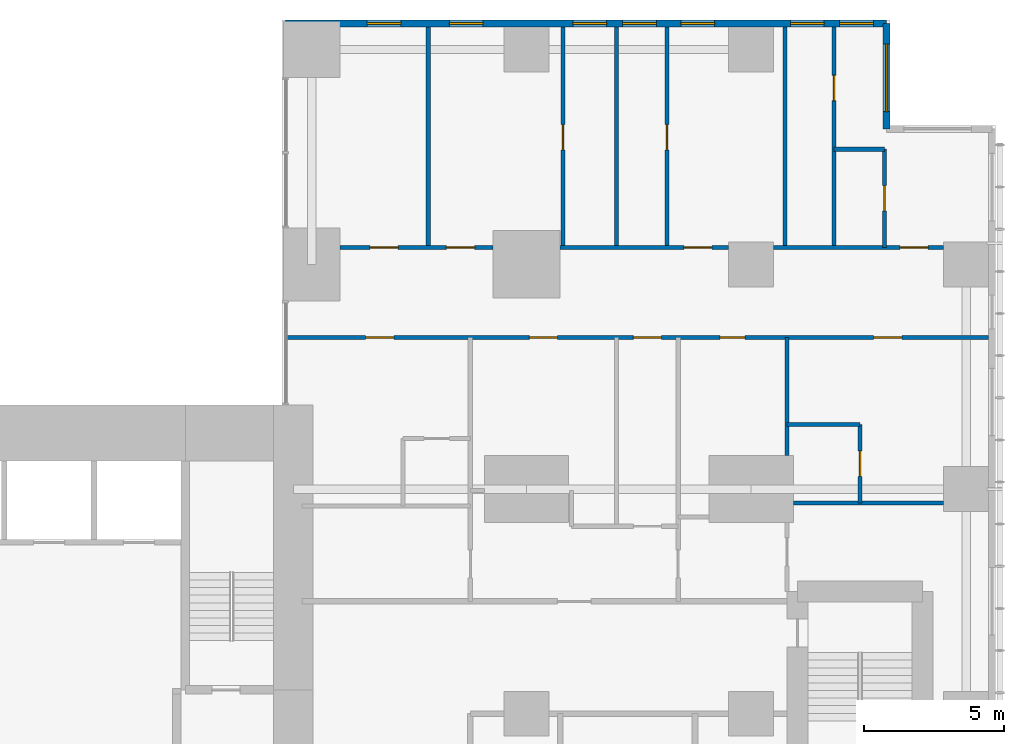
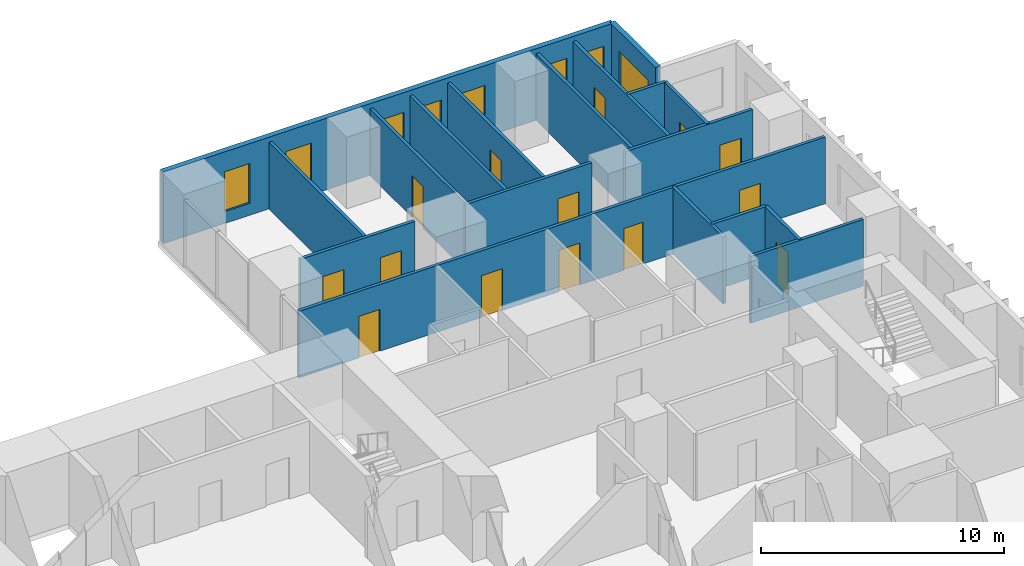
# One storey, part 10 of 12: 18 walls, 14 doors, 8 windows, 22 openings.
"""IFC4 building model written with IfcOpenShell, lengths in metres."""

import ifcopenshell
import ifcopenshell.guid

model = None  # the IFC model being written
_history = None  # IfcOwnerHistory: only IFC2X3 demands one
_inside = {}  # id of a spatial element -> (the spatial element, [elements in it])
_under = {}  # id of a project, library or spatial element -> (it, [spatial elements below it])
_declared = {}  # id of a project -> (the project, [libraries it declares])
_typed = {}  # id of a type object -> (the type object, [elements of that type])
_made_of = {}  # id of a material, layer set ... -> (it, [elements and type objects made of it])


def new_model(schema):
    """Start an empty IFC model of exactly this schema.

    Asked for "IFC4X3", IfcOpenShell would pick the latest addendum, in which some entities
    have other attributes; the version numbers below select the first issue.
    IFC2X3 requires an IfcOwnerHistory on every rooted entity: one is made here for all.
    """
    global model, _history
    if schema == "IFC4X3":
        model = ifcopenshell.file(schema_version=(4, 3, 0, 0))
    else:
        model = ifcopenshell.file(schema=schema)
    _inside.clear()
    _under.clear()
    _declared.clear()
    _typed.clear()
    _made_of.clear()
    _history = None
    if model.schema == "IFC2X3":
        org = make("IfcOrganization", Name="unknown")
        user = make(
            "IfcPersonAndOrganization",
            ThePerson=make("IfcPerson", FamilyName="unknown"),
            TheOrganization=org,
        )
        app = make(
            "IfcApplication",
            ApplicationDeveloper=org,
            Version="unknown",
            ApplicationFullName="unknown",
            ApplicationIdentifier="unknown",
        )
        _history = make(
            "IfcOwnerHistory",
            OwningUser=user,
            OwningApplication=app,
            ChangeAction="ADDED",
            CreationDate=0,
        )
    return model


def make(cls, **values):
    """One entity of the class cls with the attributes given. An attribute that is None is left unset."""
    return model.create_entity(
        cls, **{name: value for name, value in values.items() if value is not None}
    )


def rooted(cls, **values):
    """An entity with a GlobalId (a new one), such as an element, a storey or a relation."""
    return make(cls, GlobalId=ifcopenshell.guid.new(), OwnerHistory=_history, **values)


def si_unit(unit_type, name, prefix=None):
    """IfcSIUnit, for example si_unit("LENGTHUNIT", "METRE", prefix="MILLI")."""
    return make("IfcSIUnit", UnitType=unit_type, Prefix=prefix, Name=name)


def assignment(units):
    """IfcUnitAssignment: the units of a project."""
    return None if units is None else make("IfcUnitAssignment", Units=units)


def point(xyz):
    """IfcCartesianPoint."""
    return None if xyz is None else make("IfcCartesianPoint", Coordinates=xyz)


def direction(xyz):
    """IfcDirection."""
    return None if xyz is None else make("IfcDirection", DirectionRatios=xyz)


def frame(location, z_axis=None, x_axis=None):
    """IfcAxis2Placement3D, a coordinate frame: its origin and axes. An axis left out is left unset."""
    return make(
        "IfcAxis2Placement3D",
        Location=point(location),
        Axis=direction(z_axis),
        RefDirection=direction(x_axis),
    )


def frame_2d(location, x_axis=None):
    """IfcAxis2Placement2D, a coordinate frame in the plane: its origin and x axis."""
    return make(
        "IfcAxis2Placement2D", Location=point(location), RefDirection=direction(x_axis)
    )


def origin():
    """The frame at (0, 0, 0) with its axes left unset."""
    return frame((0.0, 0.0, 0.0))


def place(relative_to, where):
    """IfcLocalPlacement: puts the frame where relative to a parent placement (None: the world)."""
    return make(
        "IfcLocalPlacement", PlacementRelTo=relative_to, RelativePlacement=where
    )


def context(
    kind, dimensions, precision=None, world=None, true_north=None, identifier=None
):
    """IfcGeometricRepresentationContext, for example the 3D "Model" context."""
    return make(
        "IfcGeometricRepresentationContext",
        ContextIdentifier=identifier,
        ContextType=kind,
        CoordinateSpaceDimension=dimensions,
        Precision=precision,
        WorldCoordinateSystem=world,
        TrueNorth=true_north,
    )


def subcontext(parent, identifier, kind, view, scale=None):
    """IfcGeometricRepresentationSubContext, for example "Body" below "Model"."""
    return make(
        "IfcGeometricRepresentationSubContext",
        ContextIdentifier=identifier,
        ContextType=kind,
        ParentContext=parent,
        TargetScale=scale,
        TargetView=view,
    )


def project(units=None, contexts=None):
    """IfcProject with its units and contexts."""
    return rooted(
        "IfcProject",
        Name="project",
        RepresentationContexts=contexts,
        UnitsInContext=assignment(units),
    )


def spatial(cls, under=None, at=None, **own):
    """A site, building, storey or space (cls), placed at a placement, below another one or the project."""
    s = rooted(cls, ObjectPlacement=at, **own)
    if under is not None:
        _under.setdefault(under.id(), (under, []))[1].append(s)
    return s


def profile(cls, at=None, kind="AREA", **sizes):
    """A parametric profile (cls). Its sizes go by their IFC names, for example OverallWidth=200.0."""
    return make(cls, ProfileType=kind, Position=at, **sizes)


def rectangle(**sizes):
    """IfcRectangleProfileDef."""
    return profile("IfcRectangleProfileDef", **sizes)


def extrude(swept, where, along, depth):
    """IfcExtrudedAreaSolid: the profile swept, set in the frame where, extruded along a direction by depth."""
    return make(
        "IfcExtrudedAreaSolid",
        SweptArea=swept,
        Position=where,
        ExtrudedDirection=direction(along),
        Depth=depth,
    )


def shape(context_of_items, identifier, shape_type, items):
    """IfcShapeRepresentation: the items that make up one representation, for example the "Body"."""
    return make(
        "IfcShapeRepresentation",
        ContextOfItems=context_of_items,
        RepresentationIdentifier=identifier,
        RepresentationType=shape_type,
        Items=items,
    )


def material(Name=None, Category=None):
    """IfcMaterial."""
    return make("IfcMaterial", Name=Name, Category=Category)


def layer(
    of_material, thickness, ventilated=None, Name=None, Category=None, Priority=None
):
    """IfcMaterialLayer: one layer of a wall or slab, of a material (None: an air gap)."""
    return make(
        "IfcMaterialLayer",
        Material=of_material,
        LayerThickness=thickness,
        IsVentilated=ventilated,
        Name=Name,
        Category=Category,
        Priority=Priority,
    )


def layer_set(layers, Name=None):
    """IfcMaterialLayerSet."""
    return make("IfcMaterialLayerSet", MaterialLayers=layers, LayerSetName=Name)


def made_of(thing, what):
    """Note that an element or type object is made of a material, layer set ...; save() writes the relation."""
    if what is not None:
        _made_of.setdefault(what.id(), (what, []))[1].append(thing)
    return thing


def type_object(cls, material=None, **own):
    """A type object (cls), such as IfcWallType, which elements share."""
    return made_of(rooted(cls, **own), material)


def element(
    cls,
    number,
    at=None,
    inside=None,
    cuts=None,
    type_object=None,
    material=None,
    context=None,
    identifier="Body",
    shape_type=None,
    held_by="IfcProductDefinitionShape",
    body=None,
    shapes=None,
    **own,
):
    """One element of the class cls, such as IfcWall. Its Tag is "e" and its number.

    at: its placement. inside: the storey or other place that contains it. cuts: it is an
    opening in that element (IfcRelVoidsElement). A single representation is given by context,
    identifier, shape_type and body (its items); several are given by shapes. held_by: the class
    of the entity that holds the representations. save() writes the other relations.
    """
    e = rooted(cls, Tag="e%d" % number, ObjectPlacement=at, **own)
    if body is not None:
        shapes = [shape(context, identifier, shape_type, body)]
    if shapes is not None:
        e.Representation = make(held_by, Representations=shapes)
    if inside is not None:
        _inside.setdefault(inside.id(), (inside, []))[1].append(e)
    if cuts is not None:
        rooted(
            "IfcRelVoidsElement", RelatingBuildingElement=cuts, RelatedOpeningElement=e
        )
    if type_object is not None:
        _typed.setdefault(type_object.id(), (type_object, []))[1].append(e)
    return made_of(e, material)


def fill(opening, filler):
    """IfcRelFillsElement: the door or window that sits in an opening."""
    return rooted(
        "IfcRelFillsElement",
        RelatingOpeningElement=opening,
        RelatedBuildingElement=filler,
    )


def aggregate(whole, parts):
    """IfcRelAggregates: a whole, such as a stair, and the parts it consists of."""
    return rooted("IfcRelAggregates", RelatingObject=whole, RelatedObjects=parts)


def save(model, path):
    """Write the relations noted so far, then the file.

    IfcRelAggregates (storeys below a building ...), IfcRelContainedInSpatialStructure (elements
    in a storey), IfcRelDefinesByType, IfcRelAssociatesMaterial and IfcRelDeclares: one each for
    every whole, place, type object, material and project.
    """
    for whole, parts in _under.values():
        aggregate(whole, parts)
    for where, things in _inside.values():
        rooted(
            "IfcRelContainedInSpatialStructure",
            RelatedElements=things,
            RelatingStructure=where,
        )
    for kind, things in _typed.values():
        rooted("IfcRelDefinesByType", RelatedObjects=things, RelatingType=kind)
    for what, things in _made_of.values():
        rooted("IfcRelAssociatesMaterial", RelatedObjects=things, RelatingMaterial=what)
    for by, libraries in _declared.values():
        rooted("IfcRelDeclares", RelatingContext=by, RelatedDefinitions=libraries)
    model.write(path)


model = new_model("IFC4")

# Units and contexts
model_context = context("Model", 3, precision=1e-05, world=origin(), true_north=direction((0.0, 1.0)))
body_context = subcontext(model_context, "Body", "Model", "MODEL_VIEW")
ifc_project = project(units=[si_unit("LENGTHUNIT", "METRE"), si_unit("AREAUNIT", "SQUARE_METRE"), si_unit("VOLUMEUNIT", "CUBIC_METRE"), si_unit("PLANEANGLEUNIT", "RADIAN"), si_unit("MASSUNIT", "GRAM", prefix="KILO")], contexts=[model_context])

# Site, building, storey
site_placement = place(None, origin())
site = spatial("IfcSite", under=ifc_project, at=site_placement, CompositionType="ELEMENT")
building_placement = place(site_placement, origin())
building = spatial("IfcBuilding", under=site, at=building_placement, Name="Cleftline Residences", CompositionType="ELEMENT")
storey_placement = place(building_placement, frame((0.0, 0.0, 270.0)))
storey = spatial("IfcBuildingStorey", under=building, at=storey_placement, Name="L71", CompositionType="ELEMENT", Elevation=270.0)

# Wall, opening, window
ifc_material_1 = material(Name="Rendered reinforced concrete blockwork", Category="masonry")
ifc_layer_1 = layer(ifc_material_1, 0.25)
ifc_layer_set_1 = layer_set([ifc_layer_1], Name="EXTERNAL WALL 250")
wall_type_1 = type_object("IfcWallType", Name="EXTERNAL WALL 250", PredefinedType="SOLIDWALL", material=ifc_layer_set_1)
wall_1_placement = place(storey_placement, frame((62.824951171875, 44.824951171875, 0.0), z_axis=(0.0, 0.0, 1.0), x_axis=(0.0, 1.0, 0.0)))
wall_1 = element("IfcWall", 1, at=wall_1_placement, inside=storey, type_object=wall_type_1, Name="External wall", PredefinedType="SOLIDWALL", context=body_context, shape_type="SweptSolid", body=[
    extrude(rectangle(XDim=3.75, YDim=0.25, at=frame_2d((1.875, 0.0))), origin(), (0.0, 0.0, 1.0), 3.60009765625),
])
opening_1_placement = place(wall_1_placement, frame((0.612548828125, 0.0, 0.60009765625)))
opening_1 = element("IfcOpeningElement", 2, at=opening_1_placement, cuts=wall_1, Name="Opening W6", PredefinedType="OPENING", context=body_context, shape_type="SweptSolid", body=[
    extrude(rectangle(XDim=2.39990234375, YDim=2.0, at=frame_2d((1.199951171875, 1.0))), frame((0.0, 0.135009765625, 0.0), z_axis=(0.0, -1.0, 0.0), x_axis=(1.0, 0.0, 0.0)), (0.0, 0.0, 1.0), 0.27001953125),
])
ifc_material_2 = material(Name="Aluminium frame, clear double glazing", Category="aluminium")
window_type_1 = type_object("IfcWindowType", Name="WINDOW 2400X2000", PartitioningType="DOUBLE_PANEL_VERTICAL", PredefinedType="WINDOW", material=ifc_material_2)
window_1_placement = place(opening_1_placement, origin())
window_1 = element("IfcWindow", 3, at=window_1_placement, inside=storey, type_object=window_type_1, Name="Window", OverallHeight=2.0, OverallWidth=2.39990234375, PartitioningType="SINGLE_PANEL", PredefinedType="WINDOW", context=body_context, shape_type="SweptSolid", body=[
    extrude(rectangle(XDim=2.39990234375, YDim=2.0, at=frame_2d((1.199951171875, 1.0))), frame((0.0, 0.030029296875, 0.0), z_axis=(0.0, -1.0, 0.0), x_axis=(1.0, 0.0, 0.0)), (0.0, 0.0, 1.0), 0.06005859375),
])
fill(opening_1, window_1)

# Wall, openings, windows
wall_2_placement = place(storey_placement, frame((62.824951171875, 48.574951171875, 0.0), z_axis=(0.0, 0.0, 1.0), x_axis=(-1.0, 0.0, 0.0)))
wall_2 = element("IfcWall", 4, at=wall_2_placement, inside=storey, type_object=wall_type_1, Name="External wall", PredefinedType="SOLIDWALL", context=body_context, shape_type="SweptSolid", body=[
    extrude(rectangle(XDim=21.39990234375, YDim=0.25, at=frame_2d((10.699951171875, 0.0))), origin(), (0.0, 0.0, 1.0), 3.60009765625),
])
opening_2_placement = place(wall_2_placement, frame((0.47509765625, 0.0, 0.60009765625)))
opening_2 = element("IfcOpeningElement", 5, at=opening_2_placement, cuts=wall_2, Name="Opening W8", PredefinedType="OPENING", context=body_context, shape_type="SweptSolid", body=[
    extrude(rectangle(XDim=1.199951171875, YDim=2.0, at=frame_2d((0.60009765625, 1.0))), frame((0.0, 0.135009765625, 0.0), z_axis=(0.0, -1.0, 0.0), x_axis=(1.0, 0.0, 0.0)), (0.0, 0.0, 1.0), 0.27001953125),
])
opening_3_placement = place(wall_2_placement, frame((2.22509765625, 0.0, 0.60009765625)))
opening_3 = element("IfcOpeningElement", 6, at=opening_3_placement, cuts=wall_2, Name="Opening W8", PredefinedType="OPENING", context=body_context, shape_type="SweptSolid", body=[
    extrude(rectangle(XDim=1.199951171875, YDim=2.0, at=frame_2d((0.60009765625, 1.0))), frame((0.0, 0.135009765625, 0.0), z_axis=(0.0, -1.0, 0.0), x_axis=(1.0, 0.0, 0.0)), (0.0, 0.0, 1.0), 0.27001953125),
])
opening_4_placement = place(wall_2_placement, frame((6.125, 0.0, 0.60009765625)))
opening_4 = element("IfcOpeningElement", 7, at=opening_4_placement, cuts=wall_2, Name="Opening W8", PredefinedType="OPENING", context=body_context, shape_type="SweptSolid", body=[
    extrude(rectangle(XDim=1.199951171875, YDim=2.0, at=frame_2d((0.60009765625, 1.0))), frame((0.0, 0.135009765625, 0.0), z_axis=(0.0, -1.0, 0.0), x_axis=(1.0, 0.0, 0.0)), (0.0, 0.0, 1.0), 0.27001953125),
])
opening_5_placement = place(wall_2_placement, frame((8.199951171875, 0.0, 0.60009765625)))
opening_5 = element("IfcOpeningElement", 8, at=opening_5_placement, cuts=wall_2, Name="Opening W8", PredefinedType="OPENING", context=body_context, shape_type="SweptSolid", body=[
    extrude(rectangle(XDim=1.199951171875, YDim=2.0, at=frame_2d((0.60009765625, 1.0))), frame((0.0, 0.135009765625, 0.0), z_axis=(0.0, -1.0, 0.0), x_axis=(1.0, 0.0, 0.0)), (0.0, 0.0, 1.0), 0.27001953125),
])
opening_6_placement = place(wall_2_placement, frame((9.97509765625, 0.0, 0.60009765625)))
opening_6 = element("IfcOpeningElement", 9, at=opening_6_placement, cuts=wall_2, Name="Opening W8", PredefinedType="OPENING", context=body_context, shape_type="SweptSolid", body=[
    extrude(rectangle(XDim=1.199951171875, YDim=2.0, at=frame_2d((0.60009765625, 1.0))), frame((0.0, 0.135009765625, 0.0), z_axis=(0.0, -1.0, 0.0), x_axis=(1.0, 0.0, 0.0)), (0.0, 0.0, 1.0), 0.27001953125),
])
opening_7_placement = place(wall_2_placement, frame((14.375, 0.0, 0.60009765625)))
opening_7 = element("IfcOpeningElement", 10, at=opening_7_placement, cuts=wall_2, Name="Opening W8", PredefinedType="OPENING", context=body_context, shape_type="SweptSolid", body=[
    extrude(rectangle(XDim=1.199951171875, YDim=2.0, at=frame_2d((0.60009765625, 1.0))), frame((0.0, 0.135009765625, 0.0), z_axis=(0.0, -1.0, 0.0), x_axis=(1.0, 0.0, 0.0)), (0.0, 0.0, 1.0), 0.27001953125),
])
opening_8_placement = place(wall_2_placement, frame((17.300048828125, 0.0, 0.60009765625)))
opening_8 = element("IfcOpeningElement", 11, at=opening_8_placement, cuts=wall_2, Name="Opening W8", PredefinedType="OPENING", context=body_context, shape_type="SweptSolid", body=[
    extrude(rectangle(XDim=1.199951171875, YDim=2.0, at=frame_2d((0.60009765625, 1.0))), frame((0.0, 0.135009765625, 0.0), z_axis=(0.0, -1.0, 0.0), x_axis=(1.0, 0.0, 0.0)), (0.0, 0.0, 1.0), 0.27001953125),
])
ifc_material_3 = material(Name="Aluminium frame, clear double glazing", Category="aluminium")
window_type_2 = type_object("IfcWindowType", Name="WINDOW 1200X2000", PartitioningType="DOUBLE_PANEL_VERTICAL", PredefinedType="WINDOW", material=ifc_material_3)
window_2_placement = place(opening_2_placement, origin())
window_2 = element("IfcWindow", 12, at=window_2_placement, inside=storey, type_object=window_type_2, Name="Window", OverallHeight=2.0, OverallWidth=1.199951171875, PartitioningType="SINGLE_PANEL", PredefinedType="WINDOW", context=body_context, shape_type="SweptSolid", body=[
    extrude(rectangle(XDim=1.199951171875, YDim=2.0, at=frame_2d((0.60009765625, 1.0))), frame((0.0, 0.030029296875, 0.0), z_axis=(0.0, -1.0, 0.0), x_axis=(1.0, 0.0, 0.0)), (0.0, 0.0, 1.0), 0.06005859375),
])
fill(opening_2, window_2)
window_3_placement = place(opening_3_placement, origin())
window_3 = element("IfcWindow", 13, at=window_3_placement, inside=storey, type_object=window_type_2, Name="Window", OverallHeight=2.0, OverallWidth=1.199951171875, PartitioningType="SINGLE_PANEL", PredefinedType="WINDOW", context=body_context, shape_type="SweptSolid", body=[
    extrude(rectangle(XDim=1.199951171875, YDim=2.0, at=frame_2d((0.60009765625, 1.0))), frame((0.0, 0.030029296875, 0.0), z_axis=(0.0, -1.0, 0.0), x_axis=(1.0, 0.0, 0.0)), (0.0, 0.0, 1.0), 0.06005859375),
])
fill(opening_3, window_3)
window_4_placement = place(opening_4_placement, origin())
window_4 = element("IfcWindow", 14, at=window_4_placement, inside=storey, type_object=window_type_2, Name="Window", OverallHeight=2.0, OverallWidth=1.199951171875, PartitioningType="SINGLE_PANEL", PredefinedType="WINDOW", context=body_context, shape_type="SweptSolid", body=[
    extrude(rectangle(XDim=1.199951171875, YDim=2.0, at=frame_2d((0.60009765625, 1.0))), frame((0.0, 0.030029296875, 0.0), z_axis=(0.0, -1.0, 0.0), x_axis=(1.0, 0.0, 0.0)), (0.0, 0.0, 1.0), 0.06005859375),
])
fill(opening_4, window_4)
window_5_placement = place(opening_5_placement, origin())
window_5 = element("IfcWindow", 15, at=window_5_placement, inside=storey, type_object=window_type_2, Name="Window", OverallHeight=2.0, OverallWidth=1.199951171875, PartitioningType="SINGLE_PANEL", PredefinedType="WINDOW", context=body_context, shape_type="SweptSolid", body=[
    extrude(rectangle(XDim=1.199951171875, YDim=2.0, at=frame_2d((0.60009765625, 1.0))), frame((0.0, 0.030029296875, 0.0), z_axis=(0.0, -1.0, 0.0), x_axis=(1.0, 0.0, 0.0)), (0.0, 0.0, 1.0), 0.06005859375),
])
fill(opening_5, window_5)
window_6_placement = place(opening_6_placement, origin())
window_6 = element("IfcWindow", 16, at=window_6_placement, inside=storey, type_object=window_type_2, Name="Window", OverallHeight=2.0, OverallWidth=1.199951171875, PartitioningType="SINGLE_PANEL", PredefinedType="WINDOW", context=body_context, shape_type="SweptSolid", body=[
    extrude(rectangle(XDim=1.199951171875, YDim=2.0, at=frame_2d((0.60009765625, 1.0))), frame((0.0, 0.030029296875, 0.0), z_axis=(0.0, -1.0, 0.0), x_axis=(1.0, 0.0, 0.0)), (0.0, 0.0, 1.0), 0.06005859375),
])
fill(opening_6, window_6)
window_7_placement = place(opening_7_placement, origin())
window_7 = element("IfcWindow", 17, at=window_7_placement, inside=storey, type_object=window_type_2, Name="Window", OverallHeight=2.0, OverallWidth=1.199951171875, PartitioningType="SINGLE_PANEL", PredefinedType="WINDOW", context=body_context, shape_type="SweptSolid", body=[
    extrude(rectangle(XDim=1.199951171875, YDim=2.0, at=frame_2d((0.60009765625, 1.0))), frame((0.0, 0.030029296875, 0.0), z_axis=(0.0, -1.0, 0.0), x_axis=(1.0, 0.0, 0.0)), (0.0, 0.0, 1.0), 0.06005859375),
])
fill(opening_7, window_7)
window_8_placement = place(opening_8_placement, origin())
window_8 = element("IfcWindow", 18, at=window_8_placement, inside=storey, type_object=window_type_2, Name="Window", OverallHeight=2.0, OverallWidth=1.199951171875, PartitioningType="SINGLE_PANEL", PredefinedType="WINDOW", context=body_context, shape_type="SweptSolid", body=[
    extrude(rectangle(XDim=1.199951171875, YDim=2.0, at=frame_2d((0.60009765625, 1.0))), frame((0.0, 0.030029296875, 0.0), z_axis=(0.0, -1.0, 0.0), x_axis=(1.0, 0.0, 0.0)), (0.0, 0.0, 1.0), 0.06005859375),
])
fill(opening_8, window_8)

# Walls
ifc_material_4 = material(Name="Gypsum board on steel studs", Category="steel")
ifc_layer_2 = layer(ifc_material_4, 0.14990234375)
ifc_layer_set_2 = layer_set([ifc_layer_2], Name="PARTITION 150")
wall_type_2 = type_object("IfcWallType", Name="PARTITION 150", PredefinedType="PARTITIONING", material=ifc_layer_set_2)
wall_3_placement = place(storey_placement, frame((59.5, 31.5, 0.0), z_axis=(0.0, 0.0, 1.0), x_axis=(1.0, 0.0, 0.0)))
element("IfcWall", 19, at=wall_3_placement, inside=storey, type_object=wall_type_2, Name="Partition", PredefinedType="PARTITIONING", context=body_context, shape_type="SweptSolid", body=[
    extrude(rectangle(XDim=5.35009765625, YDim=0.14990234375, at=frame_2d((2.675048828125, 0.0))), origin(), (0.0, 0.0, 1.0), 3.35009765625),
])
wall_4_placement = place(storey_placement, frame((59.27490234375, 34.300048828125, 0.0), z_axis=(0.0, 0.0, 1.0), x_axis=(1.0, 0.0, 0.0)))
element("IfcWall", 20, at=wall_4_placement, inside=storey, type_object=wall_type_2, Name="Partition", PredefinedType="PARTITIONING", context=body_context, shape_type="SweptSolid", body=[
    extrude(rectangle(XDim=2.60009765625, YDim=0.14990234375, at=frame_2d((1.300048828125, 0.0))), origin(), (0.0, 0.0, 1.0), 3.35009765625),
])

# Wall, openings, doors
wall_5_placement = place(storey_placement, frame((41.43896484375, 37.39990234375, 0.0), z_axis=(0.0, 0.0, 1.0), x_axis=(1.0, 0.0, 0.0)))
wall_5 = element("IfcWall", 21, at=wall_5_placement, inside=storey, type_object=wall_type_2, Name="Partition", PredefinedType="PARTITIONING", context=body_context, shape_type="SweptSolid", body=[
    extrude(rectangle(XDim=25.010986328125, YDim=0.14990234375, at=frame_2d((12.50537109375, 0.0))), origin(), (0.0, 0.0, 1.0), 3.35009765625),
])
opening_9_placement = place(wall_5_placement, frame((12.361083984375, 0.0, 0.0)))
opening_9 = element("IfcOpeningElement", 22, at=opening_9_placement, cuts=wall_5, Name="Opening D2F30", PredefinedType="OPENING", context=body_context, shape_type="SweptSolid", body=[
    extrude(rectangle(XDim=1.0, YDim=2.10009765625, at=frame_2d((0.5, 1.050048828125))), frame((0.0, 0.0849609375, 0.0), z_axis=(0.0, -1.0, 0.0), x_axis=(1.0, 0.0, 0.0)), (0.0, 0.0, 1.0), 0.169921875),
])
opening_10_placement = place(wall_5_placement, frame((20.923583984375, 0.0, 0.0)))
opening_10 = element("IfcOpeningElement", 23, at=opening_10_placement, cuts=wall_5, Name="Opening D2F30", PredefinedType="OPENING", context=body_context, shape_type="SweptSolid", body=[
    extrude(rectangle(XDim=1.0, YDim=2.10009765625, at=frame_2d((0.5, 1.050048828125))), frame((0.0, 0.0849609375, 0.0), z_axis=(0.0, -1.0, 0.0), x_axis=(1.0, 0.0, 0.0)), (0.0, 0.0, 1.0), 0.169921875),
])
opening_11_placement = place(wall_5_placement, frame((15.448486328125, 0.0, 0.0)))
opening_11 = element("IfcOpeningElement", 24, at=opening_11_placement, cuts=wall_5, Name="Opening D1F30", PredefinedType="OPENING", context=body_context, shape_type="SweptSolid", body=[
    extrude(rectangle(XDim=0.89990234375, YDim=2.10009765625, at=frame_2d((0.449951171875, 1.050048828125))), frame((0.0, 0.0849609375, 0.0), z_axis=(0.0, -1.0, 0.0), x_axis=(1.0, 0.0, 0.0)), (0.0, 0.0, 1.0), 0.169921875),
])
opening_12_placement = place(wall_5_placement, frame((8.660888671875, 0.0, 0.0)))
opening_12 = element("IfcOpeningElement", 25, at=opening_12_placement, cuts=wall_5, Name="Opening D2F30", PredefinedType="OPENING", context=body_context, shape_type="SweptSolid", body=[
    extrude(rectangle(XDim=1.0, YDim=2.10009765625, at=frame_2d((0.5, 1.050048828125))), frame((0.0, 0.0849609375, 0.0), z_axis=(0.0, -1.0, 0.0), x_axis=(1.0, 0.0, 0.0)), (0.0, 0.0, 1.0), 0.169921875),
])
opening_13_placement = place(wall_5_placement, frame((2.8359375, 0.0, 0.0)))
opening_13 = element("IfcOpeningElement", 26, at=opening_13_placement, cuts=wall_5, Name="Opening D2F30", PredefinedType="OPENING", context=body_context, shape_type="SweptSolid", body=[
    extrude(rectangle(XDim=1.0, YDim=2.10009765625, at=frame_2d((0.5, 1.050048828125))), frame((0.0, 0.0849609375, 0.0), z_axis=(0.0, -1.0, 0.0), x_axis=(1.0, 0.0, 0.0)), (0.0, 0.0, 1.0), 0.169921875),
])
ifc_material_5 = material(Name="Timber veneer on solid core", Category="wood")
door_type_1 = type_object("IfcDoorType", Name="DOOR 1000X2100 EI 30", OperationType="SINGLE_SWING_LEFT", PredefinedType="DOOR", material=ifc_material_5)
door_1_placement = place(opening_9_placement, origin())
door_1 = element("IfcDoor", 27, at=door_1_placement, inside=storey, type_object=door_type_1, Name="Door to residence corridor (bedrooms)", OperationType="SINGLE_SWING_LEFT", OverallHeight=2.10009765625, OverallWidth=1.0, PredefinedType="DOOR", context=body_context, shape_type="SweptSolid", body=[
    extrude(rectangle(XDim=1.0, YDim=2.10009765625, at=frame_2d((0.5, 1.050048828125))), frame((0.0, 0.02490234375, 0.0), z_axis=(0.0, -1.0, 0.0), x_axis=(1.0, 0.0, 0.0)), (0.0, 0.0, 1.0), 0.050048828125),
])
fill(opening_9, door_1)
door_2_placement = place(opening_10_placement, origin())
door_2 = element("IfcDoor", 28, at=door_2_placement, inside=storey, type_object=door_type_1, Name="Door to master bedroom", OperationType="SINGLE_SWING_LEFT", OverallHeight=2.10009765625, OverallWidth=1.0, PredefinedType="DOOR", context=body_context, shape_type="SweptSolid", body=[
    extrude(rectangle(XDim=1.0, YDim=2.10009765625, at=frame_2d((0.5, 1.050048828125))), frame((0.0, 0.02490234375, 0.0), z_axis=(0.0, -1.0, 0.0), x_axis=(1.0, 0.0, 0.0)), (0.0, 0.0, 1.0), 0.050048828125),
])
fill(opening_10, door_2)
door_3_placement = place(opening_12_placement, origin())
door_3 = element("IfcDoor", 29, at=door_3_placement, inside=storey, type_object=door_type_1, Name="Door to media room", OperationType="SINGLE_SWING_RIGHT", OverallHeight=2.10009765625, OverallWidth=1.0, PredefinedType="DOOR", context=body_context, shape_type="SweptSolid", body=[
    extrude(rectangle(XDim=1.0, YDim=2.10009765625, at=frame_2d((0.5, 1.050048828125))), frame((0.0, 0.02490234375, 0.0), z_axis=(0.0, -1.0, 0.0), x_axis=(1.0, 0.0, 0.0)), (0.0, 0.0, 1.0), 0.050048828125),
])
fill(opening_12, door_3)
door_4_placement = place(opening_13_placement, origin())
door_4 = element("IfcDoor", 30, at=door_4_placement, inside=storey, type_object=door_type_1, Name="Door to staff bedroom", OperationType="SINGLE_SWING_RIGHT", OverallHeight=2.10009765625, OverallWidth=1.0, PredefinedType="DOOR", context=body_context, shape_type="SweptSolid", body=[
    extrude(rectangle(XDim=1.0, YDim=2.10009765625, at=frame_2d((0.5, 1.050048828125))), frame((0.0, 0.02490234375, 0.0), z_axis=(0.0, -1.0, 0.0), x_axis=(1.0, 0.0, 0.0)), (0.0, 0.0, 1.0), 0.050048828125),
])
fill(opening_13, door_4)
ifc_material_6 = material(Name="Timber veneer on solid core", Category="wood")
door_type_2 = type_object("IfcDoorType", Name="DOOR 900X2100 EI 30", OperationType="SINGLE_SWING_LEFT", PredefinedType="DOOR", material=ifc_material_6)
door_5_placement = place(opening_11_placement, origin())
door_5 = element("IfcDoor", 31, at=door_5_placement, inside=storey, type_object=door_type_2, Name="Door to guest bathroom", OperationType="SINGLE_SWING_LEFT", OverallHeight=2.10009765625, OverallWidth=0.89990234375, PredefinedType="DOOR", context=body_context, shape_type="SweptSolid", body=[
    extrude(rectangle(XDim=0.89990234375, YDim=2.10009765625, at=frame_2d((0.449951171875, 1.050048828125))), frame((0.0, 0.02490234375, 0.0), z_axis=(0.0, -1.0, 0.0), x_axis=(1.0, 0.0, 0.0)), (0.0, 0.0, 1.0), 0.050048828125),
])
fill(opening_11, door_5)

wall_6_placement = place(storey_placement, frame((43.35009765625, 40.60009765625, 0.0), z_axis=(0.0, 0.0, 1.0), x_axis=(1.0, 0.0, 0.0)))
wall_6 = element("IfcWall", 32, at=wall_6_placement, inside=storey, type_object=wall_type_2, Name="Partition", PredefinedType="PARTITIONING", context=body_context, shape_type="SweptSolid", body=[
    extrude(rectangle(XDim=5.449951171875, YDim=0.14990234375, at=frame_2d((2.72509765625, 0.0))), origin(), (0.0, 0.0, 1.0), 3.35009765625),
])
opening_14_placement = place(wall_6_placement, frame((3.800048828125, 0.0, 0.0)))
opening_14 = element("IfcOpeningElement", 33, at=opening_14_placement, cuts=wall_6, Name="Opening D2", PredefinedType="OPENING", context=body_context, shape_type="SweptSolid", body=[
    extrude(rectangle(XDim=1.0, YDim=2.10009765625, at=frame_2d((0.5, 1.050048828125))), frame((0.0, 0.0849609375, 0.0), z_axis=(0.0, -1.0, 0.0), x_axis=(1.0, 0.0, 0.0)), (0.0, 0.0, 1.0), 0.169921875),
])
opening_15_placement = place(wall_6_placement, frame((1.074951171875, 0.0, 0.0)))
opening_15 = element("IfcOpeningElement", 34, at=opening_15_placement, cuts=wall_6, Name="Opening D2", PredefinedType="OPENING", context=body_context, shape_type="SweptSolid", body=[
    extrude(rectangle(XDim=1.0, YDim=2.10009765625, at=frame_2d((0.5, 1.050048828125))), frame((0.0, 0.0849609375, 0.0), z_axis=(0.0, -1.0, 0.0), x_axis=(1.0, 0.0, 0.0)), (0.0, 0.0, 1.0), 0.169921875),
])
ifc_material_7 = material(Name="Timber veneer on solid core", Category="wood")
door_type_3 = type_object("IfcDoorType", Name="DOOR 1000X2100", OperationType="SINGLE_SWING_LEFT", PredefinedType="DOOR", material=ifc_material_7)
door_6_placement = place(opening_14_placement, origin())
door_6 = element("IfcDoor", 35, at=door_6_placement, inside=storey, type_object=door_type_3, Name="Door to bedroom 4", OperationType="SINGLE_SWING_LEFT", OverallHeight=2.10009765625, OverallWidth=1.0, PredefinedType="DOOR", context=body_context, shape_type="SweptSolid", body=[
    extrude(rectangle(XDim=1.0, YDim=2.10009765625, at=frame_2d((0.5, 1.050048828125))), frame((0.0, 0.02490234375, 0.0), z_axis=(0.0, -1.0, 0.0), x_axis=(1.0, 0.0, 0.0)), (0.0, 0.0, 1.0), 0.050048828125),
])
fill(opening_14, door_6)
door_7_placement = place(opening_15_placement, origin())
door_7 = element("IfcDoor", 36, at=door_7_placement, inside=storey, type_object=door_type_3, Name="Door to bedroom 4 sitting room", OperationType="SINGLE_SWING_RIGHT", OverallHeight=2.10009765625, OverallWidth=1.0, PredefinedType="DOOR", context=body_context, shape_type="SweptSolid", body=[
    extrude(rectangle(XDim=1.0, YDim=2.10009765625, at=frame_2d((0.5, 1.050048828125))), frame((0.0, 0.02490234375, 0.0), z_axis=(0.0, -1.0, 0.0), x_axis=(1.0, 0.0, 0.0)), (0.0, 0.0, 1.0), 0.050048828125),
])
fill(opening_15, door_7)

# Wall, opening, door
wall_7_placement = place(storey_placement, frame((51.199951171875, 40.60009765625, 0.0), z_axis=(0.0, 0.0, 1.0), x_axis=(1.0, 0.0, 0.0)))
wall_7 = element("IfcWall", 37, at=wall_7_placement, inside=storey, type_object=wall_type_2, Name="Partition", PredefinedType="PARTITIONING", context=body_context, shape_type="SweptSolid", body=[
    extrude(rectangle(XDim=6.0, YDim=0.14990234375, at=frame_2d((3.0, 0.0))), origin(), (0.0, 0.0, 1.0), 3.35009765625),
])
opening_16_placement = place(wall_7_placement, frame((4.39990234375, 0.0, 0.0)))
opening_16 = element("IfcOpeningElement", 38, at=opening_16_placement, cuts=wall_7, Name="Opening D2", PredefinedType="OPENING", context=body_context, shape_type="SweptSolid", body=[
    extrude(rectangle(XDim=1.0, YDim=2.10009765625, at=frame_2d((0.5, 1.050048828125))), frame((0.0, 0.0849609375, 0.0), z_axis=(0.0, -1.0, 0.0), x_axis=(1.0, 0.0, 0.0)), (0.0, 0.0, 1.0), 0.169921875),
])
door_8_placement = place(opening_16_placement, origin())
door_8 = element("IfcDoor", 39, at=door_8_placement, inside=storey, type_object=door_type_3, Name="Door to bedroom 3", OperationType="SINGLE_SWING_LEFT", OverallHeight=2.10009765625, OverallWidth=1.0, PredefinedType="DOOR", context=body_context, shape_type="SweptSolid", body=[
    extrude(rectangle(XDim=1.0, YDim=2.10009765625, at=frame_2d((0.5, 1.050048828125))), frame((0.0, 0.02490234375, 0.0), z_axis=(0.0, -1.0, 0.0), x_axis=(1.0, 0.0, 0.0)), (0.0, 0.0, 1.0), 0.050048828125),
])
fill(opening_16, door_8)

wall_8_placement = place(storey_placement, frame((58.800048828125, 40.60009765625, 0.0), z_axis=(0.0, 0.0, 1.0), x_axis=(1.0, 0.0, 0.0)))
wall_8 = element("IfcWall", 40, at=wall_8_placement, inside=storey, type_object=wall_type_2, Name="Partition", PredefinedType="PARTITIONING", context=body_context, shape_type="SweptSolid", body=[
    extrude(rectangle(XDim=6.050048828125, YDim=0.14990234375, at=frame_2d((3.02490234375, 0.0))), origin(), (0.0, 0.0, 1.0), 3.35009765625),
])
opening_17_placement = place(wall_8_placement, frame((4.5, 0.0, 0.0)))
opening_17 = element("IfcOpeningElement", 41, at=opening_17_placement, cuts=wall_8, Name="Opening D2", PredefinedType="OPENING", context=body_context, shape_type="SweptSolid", body=[
    extrude(rectangle(XDim=1.0, YDim=2.10009765625, at=frame_2d((0.5, 1.050048828125))), frame((0.0, 0.0849609375, 0.0), z_axis=(0.0, -1.0, 0.0), x_axis=(1.0, 0.0, 0.0)), (0.0, 0.0, 1.0), 0.169921875),
])
door_9_placement = place(opening_17_placement, origin())
door_9 = element("IfcDoor", 42, at=door_9_placement, inside=storey, type_object=door_type_3, Name="Door to bedroom 2", OperationType="SINGLE_SWING_LEFT", OverallHeight=2.10009765625, OverallWidth=1.0, PredefinedType="DOOR", context=body_context, shape_type="SweptSolid", body=[
    extrude(rectangle(XDim=1.0, YDim=2.10009765625, at=frame_2d((0.5, 1.050048828125))), frame((0.0, 0.02490234375, 0.0), z_axis=(0.0, -1.0, 0.0), x_axis=(1.0, 0.0, 0.0)), (0.0, 0.0, 1.0), 0.050048828125),
])
fill(opening_17, door_9)

# Walls
wall_9_placement = place(storey_placement, frame((60.949951171875, 44.10009765625, 0.0), z_axis=(0.0, 0.0, 1.0), x_axis=(1.0, 0.0, 0.0)))
element("IfcWall", 43, at=wall_9_placement, inside=storey, type_object=wall_type_2, Name="Partition", PredefinedType="PARTITIONING", context=body_context, shape_type="SweptSolid", body=[
    extrude(rectangle(XDim=1.800048828125, YDim=0.14990234375, at=frame_2d((0.89990234375, 0.0))), origin(), (0.0, 0.0, 1.0), 3.35009765625),
])
wall_10_placement = place(storey_placement, frame((46.5, 40.60009765625, 0.0), z_axis=(0.0, 0.0, 1.0), x_axis=(0.0, 1.0, 0.0)))
element("IfcWall", 44, at=wall_10_placement, inside=storey, type_object=wall_type_2, Name="Partition", PredefinedType="PARTITIONING", context=body_context, shape_type="SweptSolid", body=[
    extrude(rectangle(XDim=7.849853515625, YDim=0.14990234375, at=frame_2d((3.9248046875, 0.0))), origin(), (0.0, 0.0, 1.0), 3.35009765625),
])

# Wall, opening, door
wall_11_placement = place(storey_placement, frame((51.300048828125, 40.60009765625, 0.0), z_axis=(0.0, 0.0, 1.0), x_axis=(0.0, 1.0, 0.0)))
wall_11 = element("IfcWall", 45, at=wall_11_placement, inside=storey, type_object=wall_type_2, Name="Partition", PredefinedType="PARTITIONING", context=body_context, shape_type="SweptSolid", body=[
    extrude(rectangle(XDim=7.849853515625, YDim=0.14990234375, at=frame_2d((3.9248046875, 0.0))), origin(), (0.0, 0.0, 1.0), 3.35009765625),
])
opening_18_placement = place(wall_11_placement, frame((3.47509765625, 0.0, 0.0)))
opening_18 = element("IfcOpeningElement", 46, at=opening_18_placement, cuts=wall_11, Name="Opening D1", PredefinedType="OPENING", context=body_context, shape_type="SweptSolid", body=[
    extrude(rectangle(XDim=0.89990234375, YDim=2.10009765625, at=frame_2d((0.449951171875, 1.050048828125))), frame((0.0, 0.0849609375, 0.0), z_axis=(0.0, -1.0, 0.0), x_axis=(1.0, 0.0, 0.0)), (0.0, 0.0, 1.0), 0.169921875),
])
ifc_material_8 = material(Name="Timber veneer on solid core", Category="wood")
door_type_4 = type_object("IfcDoorType", Name="DOOR 900X2100", OperationType="SINGLE_SWING_LEFT", PredefinedType="DOOR", material=ifc_material_8)
door_10_placement = place(opening_18_placement, origin())
door_10 = element("IfcDoor", 47, at=door_10_placement, inside=storey, type_object=door_type_4, Name="Door to en-suite bathroom 4", OperationType="SINGLE_SWING_LEFT", OverallHeight=2.10009765625, OverallWidth=0.89990234375, PredefinedType="DOOR", context=body_context, shape_type="SweptSolid", body=[
    extrude(rectangle(XDim=0.89990234375, YDim=2.10009765625, at=frame_2d((0.449951171875, 1.050048828125))), frame((0.0, 0.02490234375, 0.0), z_axis=(0.0, -1.0, 0.0), x_axis=(1.0, 0.0, 0.0)), (0.0, 0.0, 1.0), 0.050048828125),
])
fill(opening_18, door_10)

# Wall
wall_12_placement = place(storey_placement, frame((53.199951171875, 40.60009765625, 0.0), z_axis=(0.0, 0.0, 1.0), x_axis=(0.0, 1.0, 0.0)))
element("IfcWall", 48, at=wall_12_placement, inside=storey, type_object=wall_type_2, Name="Partition", PredefinedType="PARTITIONING", context=body_context, shape_type="SweptSolid", body=[
    extrude(rectangle(XDim=7.849853515625, YDim=0.14990234375, at=frame_2d((3.9248046875, 0.0))), origin(), (0.0, 0.0, 1.0), 3.35009765625),
])

# Wall, opening, door
wall_13_placement = place(storey_placement, frame((55.0, 40.60009765625, 0.0), z_axis=(0.0, 0.0, 1.0), x_axis=(0.0, 1.0, 0.0)))
wall_13 = element("IfcWall", 49, at=wall_13_placement, inside=storey, type_object=wall_type_2, Name="Partition", PredefinedType="PARTITIONING", context=body_context, shape_type="SweptSolid", body=[
    extrude(rectangle(XDim=7.849853515625, YDim=0.14990234375, at=frame_2d((3.9248046875, 0.0))), origin(), (0.0, 0.0, 1.0), 3.35009765625),
])
opening_19_placement = place(wall_13_placement, frame((3.47509765625, 0.0, 0.0)))
opening_19 = element("IfcOpeningElement", 50, at=opening_19_placement, cuts=wall_13, Name="Opening D1", PredefinedType="OPENING", context=body_context, shape_type="SweptSolid", body=[
    extrude(rectangle(XDim=0.89990234375, YDim=2.10009765625, at=frame_2d((0.449951171875, 1.050048828125))), frame((0.0, 0.0849609375, 0.0), z_axis=(0.0, -1.0, 0.0), x_axis=(1.0, 0.0, 0.0)), (0.0, 0.0, 1.0), 0.169921875),
])
door_11_placement = place(opening_19_placement, origin())
door_11 = element("IfcDoor", 51, at=door_11_placement, inside=storey, type_object=door_type_4, Name="Door to en-suite bathroom 3", OperationType="SINGLE_SWING_LEFT", OverallHeight=2.10009765625, OverallWidth=0.89990234375, PredefinedType="DOOR", context=body_context, shape_type="SweptSolid", body=[
    extrude(rectangle(XDim=0.89990234375, YDim=2.10009765625, at=frame_2d((0.449951171875, 1.050048828125))), frame((0.0, 0.02490234375, 0.0), z_axis=(0.0, -1.0, 0.0), x_axis=(1.0, 0.0, 0.0)), (0.0, 0.0, 1.0), 0.050048828125),
])
fill(opening_19, door_11)

# Walls
wall_14_placement = place(storey_placement, frame((59.199951171875, 40.60009765625, 0.0), z_axis=(0.0, 0.0, 1.0), x_axis=(0.0, 1.0, 0.0)))
element("IfcWall", 52, at=wall_14_placement, inside=storey, type_object=wall_type_2, Name="Partition", PredefinedType="PARTITIONING", context=body_context, shape_type="SweptSolid", body=[
    extrude(rectangle(XDim=7.849853515625, YDim=0.14990234375, at=frame_2d((3.9248046875, 0.0))), origin(), (0.0, 0.0, 1.0), 3.35009765625),
])
wall_15_placement = place(storey_placement, frame((59.27490234375, 33.199951171875, 0.0), z_axis=(0.0, 0.0, 1.0), x_axis=(0.0, 1.0, 0.0)))
element("IfcWall", 53, at=wall_15_placement, inside=storey, type_object=wall_type_2, Name="Partition", PredefinedType="PARTITIONING", context=body_context, shape_type="SweptSolid", body=[
    extrude(rectangle(XDim=4.199951171875, YDim=0.14990234375, at=frame_2d((2.10009765625, 0.0))), origin(), (0.0, 0.0, 1.0), 3.35009765625),
])

# Wall, opening, door
wall_16_placement = place(storey_placement, frame((60.949951171875, 40.60009765625, 0.0), z_axis=(0.0, 0.0, 1.0), x_axis=(0.0, 1.0, 0.0)))
wall_16 = element("IfcWall", 54, at=wall_16_placement, inside=storey, type_object=wall_type_2, Name="Partition", PredefinedType="PARTITIONING", context=body_context, shape_type="SweptSolid", body=[
    extrude(rectangle(XDim=7.849853515625, YDim=0.14990234375, at=frame_2d((3.9248046875, 0.0))), origin(), (0.0, 0.0, 1.0), 3.35009765625),
])
opening_20_placement = place(wall_16_placement, frame((5.22509765625, 0.0, 0.0)))
opening_20 = element("IfcOpeningElement", 55, at=opening_20_placement, cuts=wall_16, Name="Opening D1", PredefinedType="OPENING", context=body_context, shape_type="SweptSolid", body=[
    extrude(rectangle(XDim=0.89990234375, YDim=2.10009765625, at=frame_2d((0.449951171875, 1.050048828125))), frame((0.0, 0.0849609375, 0.0), z_axis=(0.0, -1.0, 0.0), x_axis=(1.0, 0.0, 0.0)), (0.0, 0.0, 1.0), 0.169921875),
])
door_12_placement = place(opening_20_placement, origin())
door_12 = element("IfcDoor", 56, at=door_12_placement, inside=storey, type_object=door_type_4, Name="Door to walk-in wardrobe", OperationType="SINGLE_SWING_LEFT", OverallHeight=2.10009765625, OverallWidth=0.89990234375, PredefinedType="DOOR", context=body_context, shape_type="SweptSolid", body=[
    extrude(rectangle(XDim=0.89990234375, YDim=2.10009765625, at=frame_2d((0.449951171875, 1.050048828125))), frame((0.0, 0.02490234375, 0.0), z_axis=(0.0, -1.0, 0.0), x_axis=(1.0, 0.0, 0.0)), (0.0, 0.0, 1.0), 0.050048828125),
])
fill(opening_20, door_12)

wall_17_placement = place(storey_placement, frame((61.875, 31.5, 0.0), z_axis=(0.0, 0.0, 1.0), x_axis=(0.0, 1.0, 0.0)))
wall_17 = element("IfcWall", 57, at=wall_17_placement, inside=storey, type_object=wall_type_2, Name="Partition", PredefinedType="PARTITIONING", context=body_context, shape_type="SweptSolid", body=[
    extrude(rectangle(XDim=2.800048828125, YDim=0.14990234375, at=frame_2d((1.39990234375, 0.0))), origin(), (0.0, 0.0, 1.0), 3.35009765625),
])
opening_21_placement = place(wall_17_placement, frame((0.949951171875, 0.0, 0.0)))
opening_21 = element("IfcOpeningElement", 58, at=opening_21_placement, cuts=wall_17, Name="Opening D1", PredefinedType="OPENING", context=body_context, shape_type="SweptSolid", body=[
    extrude(rectangle(XDim=0.89990234375, YDim=2.10009765625, at=frame_2d((0.449951171875, 1.050048828125))), frame((0.0, 0.0849609375, 0.0), z_axis=(0.0, -1.0, 0.0), x_axis=(1.0, 0.0, 0.0)), (0.0, 0.0, 1.0), 0.169921875),
])
door_13_placement = place(opening_21_placement, origin())
door_13 = element("IfcDoor", 59, at=door_13_placement, inside=storey, type_object=door_type_4, Name="Door to master bathroom", OperationType="SINGLE_SWING_LEFT", OverallHeight=2.10009765625, OverallWidth=0.89990234375, PredefinedType="DOOR", context=body_context, shape_type="SweptSolid", body=[
    extrude(rectangle(XDim=0.89990234375, YDim=2.10009765625, at=frame_2d((0.449951171875, 1.050048828125))), frame((0.0, 0.02490234375, 0.0), z_axis=(0.0, -1.0, 0.0), x_axis=(1.0, 0.0, 0.0)), (0.0, 0.0, 1.0), 0.050048828125),
])
fill(opening_21, door_13)

wall_18_placement = place(storey_placement, frame((62.75, 40.60009765625, 0.0), z_axis=(0.0, 0.0, 1.0), x_axis=(0.0, 1.0, 0.0)))
wall_18 = element("IfcWall", 60, at=wall_18_placement, inside=storey, type_object=wall_type_2, Name="Partition", PredefinedType="PARTITIONING", context=body_context, shape_type="SweptSolid", body=[
    extrude(rectangle(XDim=3.5, YDim=0.14990234375, at=frame_2d((1.75, 0.0))), origin(), (0.0, 0.0, 1.0), 3.35009765625),
])
opening_22_placement = place(wall_18_placement, frame((1.300048828125, 0.0, 0.0)))
opening_22 = element("IfcOpeningElement", 61, at=opening_22_placement, cuts=wall_18, Name="Opening D1", PredefinedType="OPENING", context=body_context, shape_type="SweptSolid", body=[
    extrude(rectangle(XDim=0.89990234375, YDim=2.10009765625, at=frame_2d((0.449951171875, 1.050048828125))), frame((0.0, 0.0849609375, 0.0), z_axis=(0.0, -1.0, 0.0), x_axis=(1.0, 0.0, 0.0)), (0.0, 0.0, 1.0), 0.169921875),
])
door_14_placement = place(opening_22_placement, origin())
door_14 = element("IfcDoor", 62, at=door_14_placement, inside=storey, type_object=door_type_4, Name="Door to en-suite bathroom 2", OperationType="SINGLE_SWING_LEFT", OverallHeight=2.10009765625, OverallWidth=0.89990234375, PredefinedType="DOOR", context=body_context, shape_type="SweptSolid", body=[
    extrude(rectangle(XDim=0.89990234375, YDim=2.10009765625, at=frame_2d((0.449951171875, 1.050048828125))), frame((0.0, 0.02490234375, 0.0), z_axis=(0.0, -1.0, 0.0), x_axis=(1.0, 0.0, 0.0)), (0.0, 0.0, 1.0), 0.050048828125),
])
fill(opening_22, door_14)

save(model, "model.ifc")
